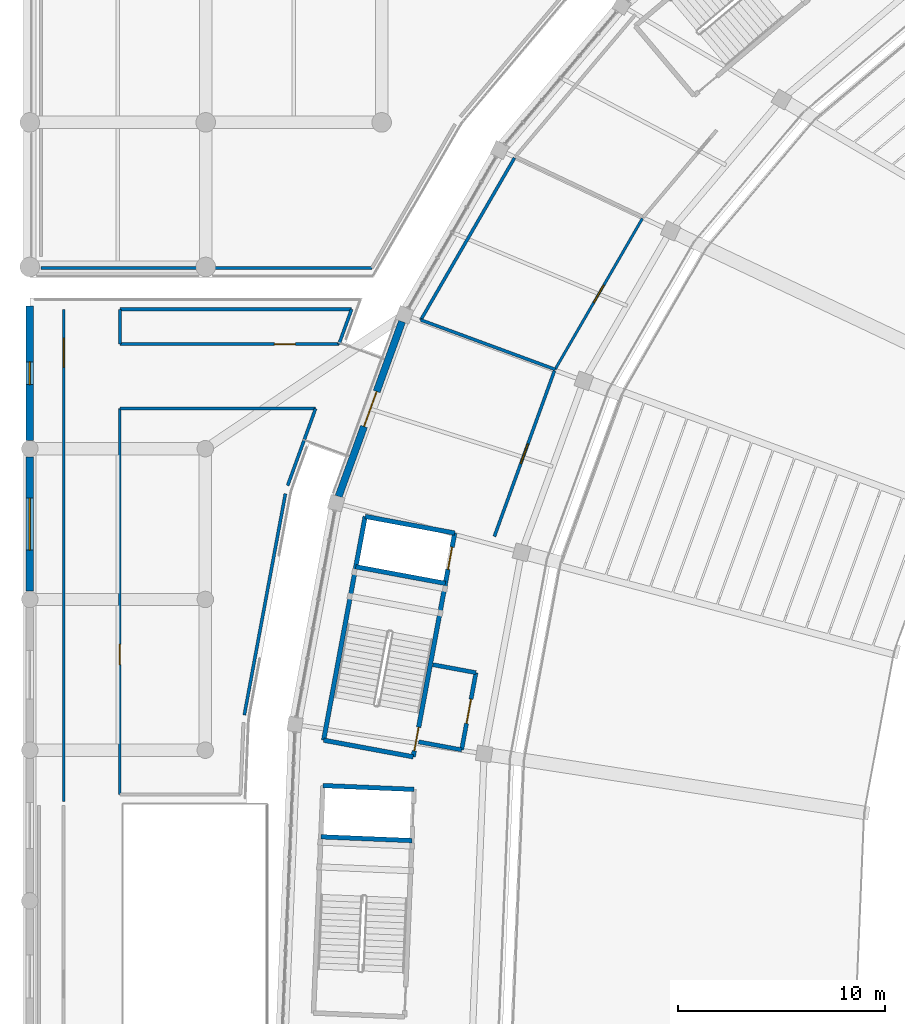
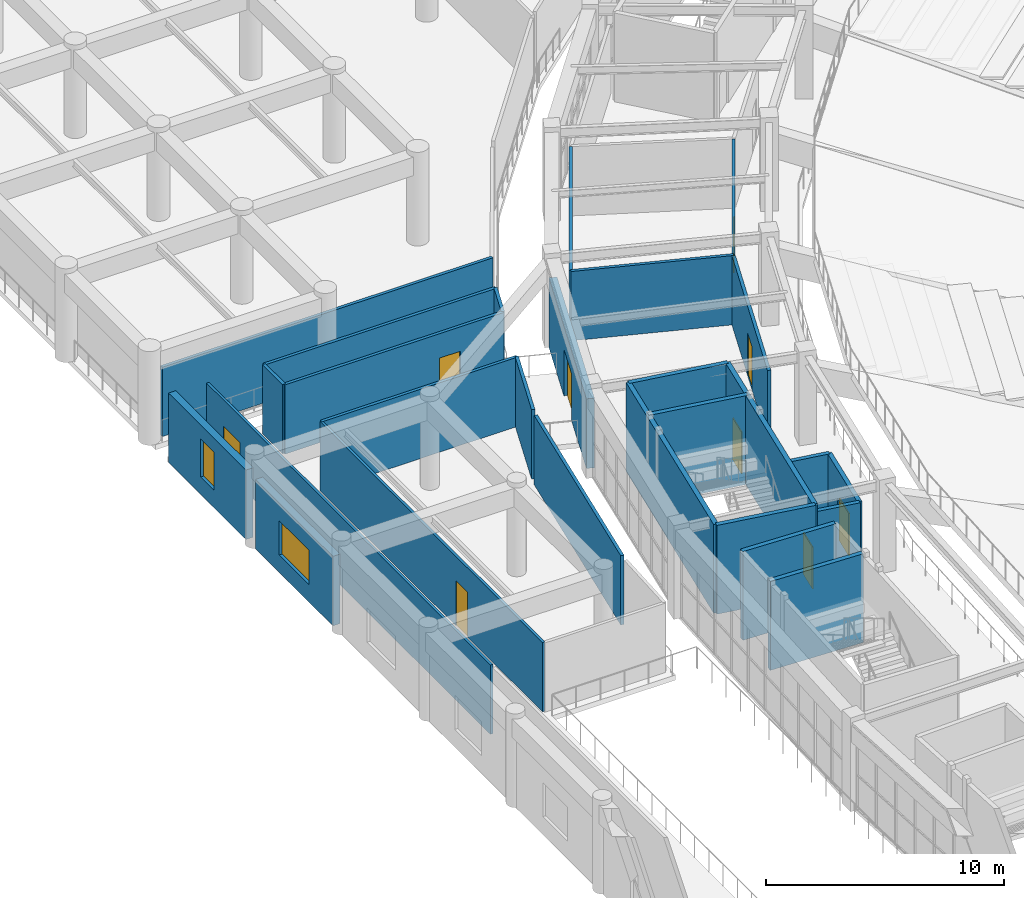
# One storey, part 96 of 137: 27 walls, 9 doors, 2 windows, 11 openings.
"""IFC4 building model written with IfcOpenShell, lengths in metres."""

from ifc_helpers import new_model, si_unit, direction, frame, frame_2d, origin, place, context, subcontext, project, spatial, rectangle, extrude, material, layer, layer_set, type_object, element, fill, save


model = new_model("IFC4")

# Units and contexts
model_context = context("Model", 3, precision=1e-05, world=origin(), true_north=direction((0.0, 1.0)))
body_context = subcontext(model_context, "Body", "Model", "MODEL_VIEW")
ifc_project = project(units=[si_unit("LENGTHUNIT", "METRE"), si_unit("AREAUNIT", "SQUARE_METRE"), si_unit("VOLUMEUNIT", "CUBIC_METRE"), si_unit("PLANEANGLEUNIT", "RADIAN"), si_unit("MASSUNIT", "GRAM", prefix="KILO")], contexts=[model_context])

# Site, building, storey
site_placement = place(None, origin())
site = spatial("IfcSite", under=ifc_project, at=site_placement, CompositionType="ELEMENT")
building_placement = place(site_placement, origin())
building = spatial("IfcBuilding", under=site, at=building_placement, Name="Mphavela Belvedere Stadium", CompositionType="ELEMENT")
storey_placement = place(building_placement, frame((0.0, 0.0, 19.199951171875)))
storey = spatial("IfcBuildingStorey", under=building, at=storey_placement, Name="L04", CompositionType="ELEMENT", Elevation=19.199951171875)

# Walls
ifc_material_1 = material(Name="Concrete C40/50", Category="concrete")
ifc_layer_1 = layer(ifc_material_1, 0.219970703125)
ifc_layer_set_1 = layer_set([ifc_layer_1], Name="Concrete C40/50")
wall_type_1 = type_object("IfcWallType", Name="WAL-CORE-SHEAR-220", PredefinedType="SHEAR", material=ifc_layer_set_1)
wall_1_placement = place(storey_placement, frame((14.228271484375, 102.085205078125, 0.0), z_axis=(0.0, 0.0, 1.0), x_axis=(0.182574755222, 0.983191974517, 0.0)))
element("IfcWall", 1, at=wall_1_placement, inside=storey, type_object=wall_type_1, Name="Core C06 shear wall L04 rear", PredefinedType="SHEAR", context=body_context, shape_type="SweptSolid", body=[
    extrude(rectangle(XDim=11.02001953125, YDim=0.219970703125, at=frame_2d((5.510009765625, 0.0))), origin(), (0.0, 0.0, 1.0), 4.550048828125),
])
for number, where, z_axis, x_axis, name in (
    (2, (18.56396484375, 101.27978515625, 0.0), (0.0, 0.0, 1.0), (-0.983179789985, 0.182640358532, 0.0), "Core C06 shear wall L04 left"),
    (3, (20.575927734375, 112.11474609375, 0.0), (0.0, 0.0, 1.0), (-0.983189729951, 0.18258684213, 0.0), "Core C06 shear wall L04 right"),
):
    element("IfcWall", number, at=place(storey_placement, frame(where, z_axis=z_axis, x_axis=x_axis)), inside=storey, type_object=wall_type_1, Name=name, PredefinedType="SHEAR", context=body_context, shape_type="SweptSolid", body=[
        extrude(rectangle(XDim=4.409912109375, YDim=0.219970703125, at=frame_2d((2.205078125, 0.0))), origin(), (0.0, 0.0, 1.0), 4.550048828125),
    ])

# Wall, openings, doors
wall_2_placement = place(storey_placement, frame((18.56396484375, 101.27978515625, 0.0), z_axis=(0.0, 0.0, 1.0), x_axis=(0.182570778451, 0.983192712979, 0.0)))
wall_2 = element("IfcWall", 4, at=wall_2_placement, inside=storey, type_object=wall_type_1, Name="Core C06 shear wall L04 front", PredefinedType="SHEAR", context=body_context, shape_type="SweptSolid", body=[
    extrude(rectangle(XDim=11.020263671875, YDim=0.219970703125, at=frame_2d((5.51025390625, 0.0))), origin(), (0.0, 0.0, 1.0), 4.550048828125),
])
opening_1_placement = place(wall_2_placement, frame((0.300048828125, 0.0, 0.0)))
opening_1 = element("IfcOpeningElement", 5, at=opening_1_placement, cuts=wall_2, Name="Opening SD-031", PredefinedType="OPENING", context=body_context, shape_type="SweptSolid", body=[
    extrude(rectangle(XDim=1.14990234375, YDim=2.14990234375, at=frame_2d((0.574951171875, 1.074951171875))), frame((0.0, 0.1201171875, 0.0), z_axis=(0.0, -1.0, 0.0), x_axis=(1.0, 0.0, 0.0)), (0.0, 0.0, 1.0), 0.239990234375),
])
opening_2_placement = place(wall_2_placement, frame((9.22998046875, 0.0, 0.0)))
opening_2 = element("IfcOpeningElement", 6, at=opening_2_placement, cuts=wall_2, Name="Opening LD-031", PredefinedType="OPENING", context=body_context, shape_type="SweptSolid", body=[
    extrude(rectangle(XDim=1.10009765625, YDim=2.14990234375, at=frame_2d((0.550048828125, 1.074951171875))), frame((0.0, 0.1201171875, 0.0), z_axis=(0.0, -1.0, 0.0), x_axis=(1.0, 0.0, 0.0)), (0.0, 0.0, 1.0), 0.239990234375),
])
ifc_material_2 = material(Name="Stainless steel center-parting lift landing door", Category="steel")
door_type_1 = type_object("IfcDoorType", Name="DR-LIFT-SLIDE-1100", OperationType="NOTDEFINED", PredefinedType="DOOR", material=ifc_material_2)
door_1_placement = place(opening_2_placement, origin())
door_1 = element("IfcDoor", 7, at=door_1_placement, inside=storey, type_object=door_type_1, Name="Lift landing sliding door FL03 L04", OperationType="DOUBLE_DOOR_SLIDING", OverallHeight=2.14990234375, OverallWidth=1.10009765625, PredefinedType="DOOR", context=body_context, shape_type="SweptSolid", body=[
    extrude(rectangle(XDim=1.10009765625, YDim=2.14990234375, at=frame_2d((0.550048828125, 1.074951171875))), frame((0.0, 0.02490234375, 0.0), z_axis=(0.0, -1.0, 0.0), x_axis=(1.0, 0.0, 0.0)), (0.0, 0.0, 1.0), 0.050048828125),
])
fill(opening_2, door_1)
ifc_material_3 = material(Name="Steel acoustic fire-resisting stair doorset", Category="steel")
door_type_2 = type_object("IfcDoorType", Name="DR-STAIR-FIRE-1150", OperationType="NOTDEFINED", PredefinedType="DOOR", material=ifc_material_3)
door_2_placement = place(opening_1_placement, origin())
door_2 = element("IfcDoor", 8, at=door_2_placement, inside=storey, type_object=door_type_2, Name="Escape stair fire door C06 L04", OperationType="SINGLE_SWING_LEFT", OverallHeight=2.14990234375, OverallWidth=1.14990234375, PredefinedType="DOOR", context=body_context, shape_type="SweptSolid", body=[
    extrude(rectangle(XDim=1.14990234375, YDim=2.14990234375, at=frame_2d((0.574951171875, 1.074951171875))), frame((0.0, 0.02490234375, 0.0), z_axis=(0.0, -1.0, 0.0), x_axis=(1.0, 0.0, 0.0)), (0.0, 0.0, 1.0), 0.050048828125),
])
fill(opening_1, door_2)

# Walls
for number, where, z_axis, x_axis, name in (
    (9, (20.123291015625, 109.676513671875, 0.0), (0.0, 0.0, 1.0), (-0.983201511677, 0.182523388739, 0.0), "Core C06 shear wall L04 div"),
    (10, (18.60498046875, 99.701171875, 0.0), (0.0, 0.0, 1.0), (-0.999123741114, 0.041853911912, 0.0), "Core C07 shear wall L04 right"),
    (11, (18.501220703125, 97.223388671875, 0.0), (0.0, 0.0, 1.0), (-0.999123741114, 0.041853911912, 0.0), "Core C07 shear wall L04 div"),
):
    element("IfcWall", number, at=place(storey_placement, frame(where, z_axis=z_axis, x_axis=x_axis)), inside=storey, type_object=wall_type_1, Name=name, PredefinedType="SHEAR", context=body_context, shape_type="SweptSolid", body=[
        extrude(rectangle(XDim=4.409912109375, YDim=0.219970703125, at=frame_2d((2.205078125, 0.0))), origin(), (0.0, 0.0, 1.0), 4.550048828125),
    ])

# Wall, opening, door
ifc_material_4 = material(Name="Honed ashlar limestone masonry", Category="masonry")
ifc_layer_2 = layer(ifc_material_4, 0.35009765625)
ifc_layer_set_2 = layer_set([ifc_layer_2], Name="Honed ashlar limestone masonry")
wall_type_2 = type_object("IfcWallType", Name="WAL-EXT-ASHLAR-350", PredefinedType="STANDARD", material=ifc_layer_set_2)
wall_3_placement = place(storey_placement, frame((14.9541015625, 113.8896484375, 0.0), z_axis=(0.0, 0.0, 1.0), x_axis=(0.341022457694, 0.9400551491, 0.0)))
wall_3 = element("IfcWall", 12, at=wall_3_placement, inside=storey, type_object=wall_type_2, Name="Classical link portal wall L04-22", PredefinedType="STANDARD", context=body_context, shape_type="SweptSolid", body=[
    extrude(rectangle(XDim=9.00537109375, YDim=0.35009765625, at=frame_2d((4.502685546875, 0.0))), origin(), (0.0, 0.0, 1.0), 3.570068359375),
])
opening_3_placement = place(wall_3_placement, frame((3.602783203125, 0.0, 0.0)))
opening_3 = element("IfcOpeningElement", 13, at=opening_3_placement, cuts=wall_3, Name="Opening ID-9421", PredefinedType="OPENING", context=body_context, shape_type="SweptSolid", body=[
    extrude(rectangle(XDim=1.800048828125, YDim=2.39990234375, at=frame_2d((0.89990234375, 1.199951171875))), frame((0.0, 0.18505859375, 0.0), z_axis=(0.0, -1.0, 0.0), x_axis=(1.0, 0.0, 0.0)), (0.0, 0.0, 1.0), 0.3701171875),
])
ifc_material_5 = material(Name="Glazed bronze-anodised steel exit doorset", Category="steel")
door_type_3 = type_object("IfcDoorType", Name="DR-EXT-01", OperationType="NOTDEFINED", PredefinedType="DOOR", material=ifc_material_5)
door_3_placement = place(opening_3_placement, origin())
door_3 = element("IfcDoor", 14, at=door_3_placement, inside=storey, type_object=door_type_3, Name="Wing promenade link doorset L04-22", OperationType="DOUBLE_DOOR_SINGLE_SWING", OverallHeight=2.39990234375, OverallWidth=1.800048828125, PredefinedType="DOOR", context=body_context, shape_type="SweptSolid", body=[
    extrude(rectangle(XDim=1.800048828125, YDim=2.39990234375, at=frame_2d((0.89990234375, 1.199951171875))), frame((0.0, 0.02490234375, 0.0), z_axis=(0.0, -1.0, 0.0), x_axis=(1.0, 0.0, 0.0)), (0.0, 0.0, 1.0), 0.050048828125),
])
fill(opening_3, door_3)

# Wall, opening, window
wall_4_placement = place(storey_placement, frame((0.0, 109.298095703125, 0.0), z_axis=(0.0, 0.0, 1.0), x_axis=(0.0, 1.0, 0.0)))
wall_4 = element("IfcWall", 15, at=wall_4_placement, inside=storey, type_object=wall_type_2, Name="West Planted Eaves Peristyle Colonnade outer facade bay L04-09", PredefinedType="STANDARD", context=body_context, shape_type="SweptSolid", body=[
    extrude(rectangle(XDim=6.50390625, YDim=0.35009765625, at=frame_2d((3.251953125, 0.0))), origin(), (0.0, 0.0, 1.0), 3.56005859375),
])
opening_4_placement = place(wall_4_placement, frame((1.991943359375, 0.0, 0.89990234375)))
opening_4 = element("IfcOpeningElement", 16, at=opening_4_placement, cuts=wall_4, Name="Opening W-286", PredefinedType="OPENING", context=body_context, shape_type="SweptSolid", body=[
    extrude(rectangle(XDim=2.52001953125, YDim=1.75, at=frame_2d((1.260009765625, 0.875))), frame((0.0, 0.18505859375, 0.0), z_axis=(0.0, -1.0, 0.0), x_axis=(1.0, 0.0, 0.0)), (0.0, 0.0, 1.0), 0.3701171875),
])
ifc_material_6 = material(Name="Bronze-anodised thermally broken aluminium window", Category="aluminium")
window_type_1 = type_object("IfcWindowType", Name="WIN-EXT-22", PartitioningType="SINGLE_PANEL", PredefinedType="WINDOW", material=ifc_material_6)
window_1_placement = place(opening_4_placement, origin())
window_1 = element("IfcWindow", 17, at=window_1_placement, inside=storey, type_object=window_type_1, Name="West Planted Eaves Peristyle Colonnade classical window W-286", OverallHeight=1.75, OverallWidth=2.52001953125, PartitioningType="SINGLE_PANEL", PredefinedType="WINDOW", context=body_context, shape_type="SweptSolid", body=[
    extrude(rectangle(XDim=2.52001953125, YDim=1.75, at=frame_2d((1.260009765625, 0.875))), frame((0.0, 0.030029296875, 0.0), z_axis=(0.0, -1.0, 0.0), x_axis=(1.0, 0.0, 0.0)), (0.0, 0.0, 1.0), 0.06005859375),
])
fill(opening_4, window_1)

wall_5_placement = place(storey_placement, frame((0.0, 116.597900390625, 0.0), z_axis=(0.0, 0.0, 1.0), x_axis=(0.0, 1.0, 0.0)))
wall_5 = element("IfcWall", 18, at=wall_5_placement, inside=storey, type_object=wall_type_2, Name="West Planted Eaves Peristyle Colonnade outer facade bay L04-10", PredefinedType="STANDARD", context=body_context, shape_type="SweptSolid", body=[
    extrude(rectangle(XDim=6.504150390625, YDim=0.35009765625, at=frame_2d((3.251953125, 0.0))), origin(), (0.0, 0.0, 1.0), 3.56005859375),
])
opening_5_placement = place(wall_5_placement, frame((2.701904296875, 0.0, 0.89990234375)))
opening_5 = element("IfcOpeningElement", 19, at=opening_5_placement, cuts=wall_5, Name="Opening W-287", PredefinedType="OPENING", context=body_context, shape_type="SweptSolid", body=[
    extrude(rectangle(XDim=1.10009765625, YDim=1.949951171875, at=frame_2d((0.550048828125, 0.97509765625))), frame((0.0, 0.18505859375, 0.0), z_axis=(0.0, -1.0, 0.0), x_axis=(1.0, 0.0, 0.0)), (0.0, 0.0, 1.0), 0.3701171875),
])
ifc_material_7 = material(Name="Bronze-anodised thermally broken aluminium window", Category="aluminium")
window_type_2 = type_object("IfcWindowType", Name="WIN-EXT-23", PartitioningType="SINGLE_PANEL", PredefinedType="WINDOW", material=ifc_material_7)
window_2_placement = place(opening_5_placement, origin())
window_2 = element("IfcWindow", 20, at=window_2_placement, inside=storey, type_object=window_type_2, Name="West Planted Eaves Peristyle Colonnade classical window W-287", OverallHeight=1.949951171875, OverallWidth=1.10009765625, PartitioningType="SINGLE_PANEL", PredefinedType="WINDOW", context=body_context, shape_type="SweptSolid", body=[
    extrude(rectangle(XDim=1.10009765625, YDim=1.949951171875, at=frame_2d((0.550048828125, 0.97509765625))), frame((0.0, 0.030029296875, 0.0), z_axis=(0.0, -1.0, 0.0), x_axis=(1.0, 0.0, 0.0)), (0.0, 0.0, 1.0), 0.06005859375),
])
fill(opening_5, window_2)

# Wall, opening, door
ifc_material_8 = material(Name="Moisture-resistant sanitary partition assembly")
ifc_layer_3 = layer(ifc_material_8, 0.125)
ifc_layer_set_3 = layer_set([ifc_layer_3], Name="Moisture-resistant sanitary partition assembly")
wall_type_3 = type_object("IfcWallType", Name="WAL-PART-125", PredefinedType="PARTITIONING", material=ifc_layer_set_3)
wall_6_placement = place(storey_placement, frame((29.662841796875, 127.3486328125, 0.0), z_axis=(0.0, 0.0, 1.0), x_axis=(-0.500563217362, -0.865699985806, 0.0)))
wall_6 = element("IfcWall", 21, at=wall_6_placement, inside=storey, type_object=wall_type_3, Name="Room L04-64 corridor partition", PredefinedType="PARTITIONING", context=body_context, shape_type="SweptSolid", body=[
    extrude(rectangle(XDim=8.444091796875, YDim=0.125, at=frame_2d((4.22216796875, 0.0))), origin(), (0.0, 0.0, 1.0), 3.550048828125),
])
opening_6_placement = place(wall_6_placement, frame((3.732177734375, 0.0, 0.0)))
opening_6 = element("IfcOpeningElement", 22, at=opening_6_placement, cuts=wall_6, Name="Opening ID-339", PredefinedType="OPENING", context=body_context, shape_type="SweptSolid", body=[
    extrude(rectangle(XDim=0.97998046875, YDim=2.199951171875, at=frame_2d((0.489990234375, 1.10009765625))), frame((0.0, 0.072509765625, 0.0), z_axis=(0.0, -1.0, 0.0), x_axis=(1.0, 0.0, 0.0)), (0.0, 0.0, 1.0), 0.14501953125),
])
ifc_material_9 = material(Name="Hardwood acoustic timber doorset", Category="wood")
door_type_4 = type_object("IfcDoorType", Name="DR-INT-15", OperationType="NOTDEFINED", PredefinedType="DOOR", material=ifc_material_9)
door_4_placement = place(opening_6_placement, origin())
door_4 = element("IfcDoor", 23, at=door_4_placement, inside=storey, type_object=door_type_4, Name="Room L04-64 entrance door ID-339", OperationType="SINGLE_SWING_LEFT", OverallHeight=2.199951171875, OverallWidth=0.97998046875, PredefinedType="DOOR", context=body_context, shape_type="SweptSolid", body=[
    extrude(rectangle(XDim=0.97998046875, YDim=2.199951171875, at=frame_2d((0.489990234375, 1.10009765625))), frame((0.0, 0.02490234375, 0.0), z_axis=(0.0, -1.0, 0.0), x_axis=(1.0, 0.0, 0.0)), (0.0, 0.0, 1.0), 0.050048828125),
])
fill(opening_6, door_4)

wall_7_placement = place(storey_placement, frame((1.639892578125, 122.949951171875, 0.0), z_axis=(0.0, 0.0, 1.0), x_axis=(0.0, -1.0, 0.0)))
wall_7 = element("IfcWall", 24, at=wall_7_placement, inside=storey, type_object=wall_type_3, Name="Room L04-132 corridor partition", PredefinedType="PARTITIONING", context=body_context, shape_type="SweptSolid", body=[
    extrude(rectangle(XDim=23.833251953125, YDim=0.125, at=frame_2d((11.91650390625, 0.0))), origin(), (0.0, 0.0, 1.0), 3.550048828125),
])
opening_7_placement = place(wall_7_placement, frame((1.40966796875, 0.0, 0.0)))
opening_7 = element("IfcOpeningElement", 25, at=opening_7_placement, cuts=wall_7, Name="Opening ID-528", PredefinedType="OPENING", context=body_context, shape_type="SweptSolid", body=[
    extrude(rectangle(XDim=1.39990234375, YDim=2.199951171875, at=frame_2d((0.699951171875, 1.10009765625))), frame((0.0, 0.072509765625, 0.0), z_axis=(0.0, -1.0, 0.0), x_axis=(1.0, 0.0, 0.0)), (0.0, 0.0, 1.0), 0.14501953125),
])
ifc_material_10 = material(Name="Hardwood acoustic timber doorset", Category="wood")
door_type_5 = type_object("IfcDoorType", Name="DR-INT-24", OperationType="NOTDEFINED", PredefinedType="DOOR", material=ifc_material_10)
door_5_placement = place(opening_7_placement, origin())
door_5 = element("IfcDoor", 26, at=door_5_placement, inside=storey, type_object=door_type_5, Name="Room L04-132 entrance door ID-528", OperationType="SINGLE_SWING_RIGHT", OverallHeight=2.199951171875, OverallWidth=1.39990234375, PredefinedType="DOOR", context=body_context, shape_type="SweptSolid", body=[
    extrude(rectangle(XDim=1.39990234375, YDim=2.199951171875, at=frame_2d((0.699951171875, 1.10009765625))), frame((0.0, 0.02490234375, 0.0), z_axis=(0.0, -1.0, 0.0), x_axis=(1.0, 0.0, 0.0)), (0.0, 0.0, 1.0), 0.050048828125),
])
fill(opening_7, door_5)

wall_8_placement = place(storey_placement, frame((4.360107421875, 99.449951171875, 0.0), z_axis=(0.0, 0.0, 1.0), x_axis=(0.0, 1.0, 0.0)))
wall_8 = element("IfcWall", 27, at=wall_8_placement, inside=storey, type_object=wall_type_3, Name="Room L04-135 corridor partition", PredefinedType="PARTITIONING", context=body_context, shape_type="SweptSolid", body=[
    extrude(rectangle(XDim=18.68994140625, YDim=0.125, at=frame_2d((9.344970703125, 0.0))), origin(), (0.0, 0.0, 1.0), 3.550048828125),
])
opening_8_placement = place(wall_8_placement, frame((6.29443359375, 0.0, 0.0)))
opening_8 = element("IfcOpeningElement", 28, at=opening_8_placement, cuts=wall_8, Name="Opening ID-531", PredefinedType="OPENING", context=body_context, shape_type="SweptSolid", body=[
    extrude(rectangle(XDim=0.97998046875, YDim=2.300048828125, at=frame_2d((0.489990234375, 1.14990234375))), frame((0.0, 0.072509765625, 0.0), z_axis=(0.0, -1.0, 0.0), x_axis=(1.0, 0.0, 0.0)), (0.0, 0.0, 1.0), 0.14501953125),
])
ifc_material_11 = material(Name="Hardwood acoustic timber doorset", Category="wood")
door_type_6 = type_object("IfcDoorType", Name="DR-INT-27", OperationType="NOTDEFINED", PredefinedType="DOOR", material=ifc_material_11)
door_6_placement = place(opening_8_placement, origin())
door_6 = element("IfcDoor", 29, at=door_6_placement, inside=storey, type_object=door_type_6, Name="Room L04-135 entrance door ID-531", OperationType="SINGLE_SWING_LEFT", OverallHeight=2.300048828125, OverallWidth=0.97998046875, PredefinedType="DOOR", context=body_context, shape_type="SweptSolid", body=[
    extrude(rectangle(XDim=0.97998046875, YDim=2.300048828125, at=frame_2d((0.489990234375, 1.14990234375))), frame((0.0, 0.02490234375, 0.0), z_axis=(0.0, -1.0, 0.0), x_axis=(1.0, 0.0, 0.0)), (0.0, 0.0, 1.0), 0.050048828125),
])
fill(opening_8, door_6)

ifc_material_12 = material(Name="Acoustic gypsum stud partition assembly")
ifc_layer_4 = layer(ifc_material_12, 0.14990234375)
ifc_layer_set_4 = layer_set([ifc_layer_4], Name="Acoustic gypsum stud partition assembly")
wall_type_4 = type_object("IfcWallType", Name="WAL-PART-150", PredefinedType="PARTITIONING", material=ifc_layer_set_4)
wall_9_placement = place(storey_placement, frame((25.402587890625, 119.965576171875, 0.0), z_axis=(0.0, 0.0, 1.0), x_axis=(-0.341016360618, -0.940057360905, 0.0)))
wall_9 = element("IfcWall", 30, at=wall_9_placement, inside=storey, type_object=wall_type_4, Name="Room L04-66 corridor partition", PredefinedType="PARTITIONING", context=body_context, shape_type="SweptSolid", body=[
    extrude(rectangle(XDim=8.525146484375, YDim=0.14990234375, at=frame_2d((4.2626953125, 0.0))), origin(), (0.0, 0.0, 1.0), 3.550048828125),
])
opening_9_placement = place(wall_9_placement, frame((3.75244140625, 0.0, 0.0)))
opening_9 = element("IfcOpeningElement", 31, at=opening_9_placement, cuts=wall_9, Name="Opening ID-340", PredefinedType="OPENING", context=body_context, shape_type="SweptSolid", body=[
    extrude(rectangle(XDim=1.02001953125, YDim=2.199951171875, at=frame_2d((0.510009765625, 1.10009765625))), frame((0.0, 0.0849609375, 0.0), z_axis=(0.0, -1.0, 0.0), x_axis=(1.0, 0.0, 0.0)), (0.0, 0.0, 1.0), 0.169921875),
])
ifc_material_13 = material(Name="Hardwood acoustic timber doorset", Category="wood")
door_type_7 = type_object("IfcDoorType", Name="DR-INT-16", OperationType="NOTDEFINED", PredefinedType="DOOR", material=ifc_material_13)
door_7_placement = place(opening_9_placement, origin())
door_7 = element("IfcDoor", 32, at=door_7_placement, inside=storey, type_object=door_type_7, Name="Room L04-66 entrance door ID-340", OperationType="SINGLE_SWING_RIGHT", OverallHeight=2.199951171875, OverallWidth=1.02001953125, PredefinedType="DOOR", context=body_context, shape_type="SweptSolid", body=[
    extrude(rectangle(XDim=1.02001953125, YDim=2.199951171875, at=frame_2d((0.510009765625, 1.10009765625))), frame((0.0, 0.02490234375, 0.0), z_axis=(0.0, -1.0, 0.0), x_axis=(1.0, 0.0, 0.0)), (0.0, 0.0, 1.0), 0.050048828125),
])
fill(opening_9, door_7)

wall_10_placement = place(storey_placement, frame((14.968505859375, 121.260009765625, 0.0), z_axis=(0.0, 0.0, 1.0), x_axis=(-1.0, 0.0, 0.0)))
wall_10 = element("IfcWall", 33, at=wall_10_placement, inside=storey, type_object=wall_type_4, Name="Room L04-136 corridor partition", PredefinedType="PARTITIONING", context=body_context, shape_type="SweptSolid", body=[
    extrude(rectangle(XDim=10.6083984375, YDim=0.14990234375, at=frame_2d((5.30419921875, 0.0))), origin(), (0.0, 0.0, 1.0), 3.550048828125),
])
opening_10_placement = place(wall_10_placement, frame((2.109619140625, 0.0, 0.0)))
opening_10 = element("IfcOpeningElement", 34, at=opening_10_placement, cuts=wall_10, Name="Opening ID-532", PredefinedType="OPENING", context=body_context, shape_type="SweptSolid", body=[
    extrude(rectangle(XDim=1.02001953125, YDim=2.300048828125, at=frame_2d((0.510009765625, 1.14990234375))), frame((0.0, 0.0849609375, 0.0), z_axis=(0.0, -1.0, 0.0), x_axis=(1.0, 0.0, 0.0)), (0.0, 0.0, 1.0), 0.169921875),
])
ifc_material_14 = material(Name="Hardwood acoustic timber doorset", Category="wood")
door_type_8 = type_object("IfcDoorType", Name="DR-INT-28", OperationType="NOTDEFINED", PredefinedType="DOOR", material=ifc_material_14)
door_8_placement = place(opening_10_placement, origin())
door_8 = element("IfcDoor", 35, at=door_8_placement, inside=storey, type_object=door_type_8, Name="Room L04-136 entrance door ID-532", OperationType="SINGLE_SWING_RIGHT", OverallHeight=2.300048828125, OverallWidth=1.02001953125, PredefinedType="DOOR", context=body_context, shape_type="SweptSolid", body=[
    extrude(rectangle(XDim=1.02001953125, YDim=2.300048828125, at=frame_2d((0.510009765625, 1.14990234375))), frame((0.0, 0.02490234375, 0.0), z_axis=(0.0, -1.0, 0.0), x_axis=(1.0, 0.0, 0.0)), (0.0, 0.0, 1.0), 0.050048828125),
])
fill(opening_10, door_8)

# Walls
wall_11_placement = place(storey_placement, frame((25.43603515625, 120.03857421875, 0.0), z_axis=(0.0, 0.0, 1.0), x_axis=(-0.938353341724, 0.345677604242, 0.0)))
element("IfcWall", 36, at=wall_11_placement, inside=storey, type_object=wall_type_4, Name="Room divider partition L04-0609", PredefinedType="PARTITIONING", context=body_context, shape_type="SweptSolid", body=[
    extrude(rectangle(XDim=6.929931640625, YDim=0.14990234375, at=frame_2d((3.46484375, 0.0))), origin(), (0.0, 0.0, 1.0), 3.550048828125),
])
wall_12_placement = place(storey_placement, frame((18.933349609375, 122.43408203125, 0.0), z_axis=(0.0, 0.0, 1.0), x_axis=(0.500559416643, 0.865702183438, 0.0)))
element("IfcWall", 37, at=wall_12_placement, inside=storey, type_object=wall_type_4, Name="Room divider partition L04-0610", PredefinedType="PARTITIONING", context=body_context, shape_type="SweptSolid", body=[
    extrude(rectangle(XDim=9.06298828125, YDim=0.14990234375, at=frame_2d((4.531494140625, 0.0))), origin(), (0.0, 0.0, 1.0), 3.550048828125),
])
wall_13_placement = place(storey_placement, frame((16.5673828125, 124.949951171875, 0.0), z_axis=(0.0, 0.0, 1.0), x_axis=(-1.0, 0.0, 0.0)))
element("IfcWall", 38, at=wall_13_placement, inside=storey, type_object=wall_type_4, Name="Room divider partition L04-1090", PredefinedType="PARTITIONING", context=body_context, shape_type="SweptSolid", body=[
    extrude(rectangle(XDim=16.017333984375, YDim=0.14990234375, at=frame_2d((8.0087890625, 0.0))), origin(), (0.0, 0.0, 1.0), 3.550048828125),
])
wall_14_placement = place(storey_placement, frame((12.37744140625, 114.01904296875, 0.0), z_axis=(0.0, 0.0, 1.0), x_axis=(-0.182620957058, -0.983183393901, 0.0)))
element("IfcWall", 39, at=wall_14_placement, inside=storey, type_object=wall_type_4, Name="Room divider partition L04-1210", PredefinedType="PARTITIONING", context=body_context, shape_type="SweptSolid", body=[
    extrude(rectangle(XDim=10.90087890625, YDim=0.14990234375, at=frame_2d((5.450439453125, 0.0))), origin(), (0.0, 0.0, 1.0), 3.550048828125),
])
wall_15_placement = place(storey_placement, frame((4.360107421875, 118.139892578125, 0.0), z_axis=(0.0, 0.0, 1.0), x_axis=(1.0, 0.0, 0.0)))
element("IfcWall", 40, at=wall_15_placement, inside=storey, type_object=wall_type_4, Name="Room divider partition L04-1213", PredefinedType="PARTITIONING", context=body_context, shape_type="SweptSolid", body=[
    extrude(rectangle(XDim=9.4765625, YDim=0.14990234375, at=frame_2d((4.73828125, 0.0))), origin(), (0.0, 0.0, 1.0), 3.550048828125),
])
wall_16_placement = place(storey_placement, frame((13.836669921875, 118.139892578125, 0.0), z_axis=(0.0, 0.0, 1.0), x_axis=(-0.341035525383, -0.94005040845, 0.0)))
element("IfcWall", 41, at=wall_16_placement, inside=storey, type_object=wall_type_4, Name="Room divider partition L04-1214", PredefinedType="PARTITIONING", context=body_context, shape_type="SweptSolid", body=[
    extrude(rectangle(XDim=3.96240234375, YDim=0.14990234375, at=frame_2d((1.981201171875, 0.0))), origin(), (0.0, 0.0, 1.0), 3.550048828125),
])
wall_17_placement = place(storey_placement, frame((4.360107421875, 122.949951171875, 0.0), z_axis=(0.0, 0.0, 1.0), x_axis=(1.0, 0.0, 0.0)))
element("IfcWall", 42, at=wall_17_placement, inside=storey, type_object=wall_type_4, Name="Room divider partition L04-1215", PredefinedType="PARTITIONING", context=body_context, shape_type="SweptSolid", body=[
    extrude(rectangle(XDim=11.221435546875, YDim=0.14990234375, at=frame_2d((5.61083984375, 0.0))), origin(), (0.0, 0.0, 1.0), 3.550048828125),
])
wall_18_placement = place(storey_placement, frame((15.58154296875, 122.949951171875, 0.0), z_axis=(0.0, 0.0, 1.0), x_axis=(-0.341012375502, -0.940058806541, 0.0)))
element("IfcWall", 43, at=wall_18_placement, inside=storey, type_object=wall_type_4, Name="Room divider partition L04-1216", PredefinedType="PARTITIONING", context=body_context, shape_type="SweptSolid", body=[
    extrude(rectangle(XDim=1.797607421875, YDim=0.14990234375, at=frame_2d((0.89892578125, 0.0))), origin(), (0.0, 0.0, 1.0), 3.550048828125),
])
wall_19_placement = place(storey_placement, frame((4.360107421875, 121.260009765625, 0.0), z_axis=(0.0, 0.0, 1.0), x_axis=(0.0, 1.0, 0.0)))
element("IfcWall", 44, at=wall_19_placement, inside=storey, type_object=wall_type_4, Name="Room divider partition L04-1217", PredefinedType="PARTITIONING", context=body_context, shape_type="SweptSolid", body=[
    extrude(rectangle(XDim=1.68994140625, YDim=0.14990234375, at=frame_2d((0.844970703125, 0.0))), origin(), (0.0, 0.0, 1.0), 3.550048828125),
])

# Wall, opening, door
ifc_material_15 = material(Name="Fire-rated calcium silicate partition assembly")
ifc_layer_5 = layer(ifc_material_15, 0.199951171875)
ifc_layer_set_5 = layer_set([ifc_layer_5], Name="Fire-rated calcium silicate partition assembly")
wall_type_5 = type_object("IfcWallType", Name="WAL-PART-FF-200", PredefinedType="PARTITIONING", material=ifc_layer_set_5)
wall_20_placement = place(storey_placement, frame((20.909912109375, 101.6171875, 0.0), z_axis=(0.0, 0.0, 1.0), x_axis=(0.18258154775, 0.983190713148, 0.0)))
wall_20 = element("IfcWall", 45, at=wall_20_placement, inside=storey, type_object=wall_type_5, Name="Firefighting lobby front wall C06 L04", PredefinedType="PARTITIONING", context=body_context, shape_type="SweptSolid", body=[
    extrude(rectangle(XDim=3.80029296875, YDim=0.199951171875, at=frame_2d((1.900146484375, 0.0))), origin(), (0.0, 0.0, 1.0), 3.650146484375),
])
opening_11_placement = place(wall_20_placement, frame((1.300048828125, 0.0, 0.0)))
opening_11 = element("IfcOpeningElement", 46, at=opening_11_placement, cuts=wall_20, Name="Opening FD-015", PredefinedType="OPENING", context=body_context, shape_type="SweptSolid", body=[
    extrude(rectangle(XDim=1.199951171875, YDim=2.179931640625, at=frame_2d((0.60009765625, 1.08984375))), frame((0.0, 0.10986328125, 0.0), z_axis=(0.0, -1.0, 0.0), x_axis=(1.0, 0.0, 0.0)), (0.0, 0.0, 1.0), 0.219970703125),
])
ifc_material_16 = material(Name="Steel smoke-sealed firefighting lobby doorset", Category="steel")
door_type_9 = type_object("IfcDoorType", Name="DR-FF-LOBBY-1200", OperationType="NOTDEFINED", PredefinedType="DOOR", material=ifc_material_16)
door_9_placement = place(opening_11_placement, origin())
door_9 = element("IfcDoor", 47, at=door_9_placement, inside=storey, type_object=door_type_9, Name="Firefighting lobby door C06 L04", OperationType="SINGLE_SWING_RIGHT", OverallHeight=2.179931640625, OverallWidth=1.199951171875, PredefinedType="DOOR", context=body_context, shape_type="SweptSolid", body=[
    extrude(rectangle(XDim=1.199951171875, YDim=2.179931640625, at=frame_2d((0.60009765625, 1.08984375))), frame((0.0, 0.02490234375, 0.0), z_axis=(0.0, -1.0, 0.0), x_axis=(1.0, 0.0, 0.0)), (0.0, 0.0, 1.0), 0.050048828125),
])
fill(opening_11, door_9)

# Walls
for number, where, z_axis, x_axis, name in (
    (48, (20.909912109375, 101.6171875, 0.0), (0.0, 0.0, 1.0), (-0.983177215189, 0.182654218495, 0.0), "Firefighting lobby side wall L C06 L04"),
    (49, (21.603759765625, 105.353515625, 0.0), (0.0, 0.0, 1.0), (-0.983197891107, 0.182542890641, 0.0), "Firefighting lobby side wall R C06 L04"),
):
    element("IfcWall", number, at=place(storey_placement, frame(where, z_axis=z_axis, x_axis=x_axis)), inside=storey, type_object=wall_type_5, Name=name, PredefinedType="PARTITIONING", context=body_context, shape_type="SweptSolid", body=[
        extrude(rectangle(XDim=2.119873046875, YDim=0.199951171875, at=frame_2d((1.06005859375, 0.0))), origin(), (0.0, 0.0, 1.0), 3.650146484375),
    ])

save(model, "model.ifc")
